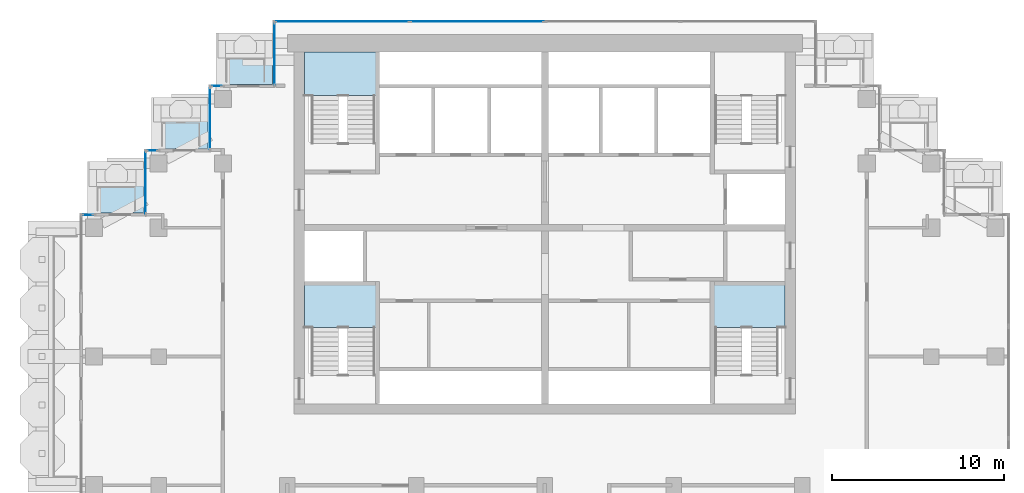
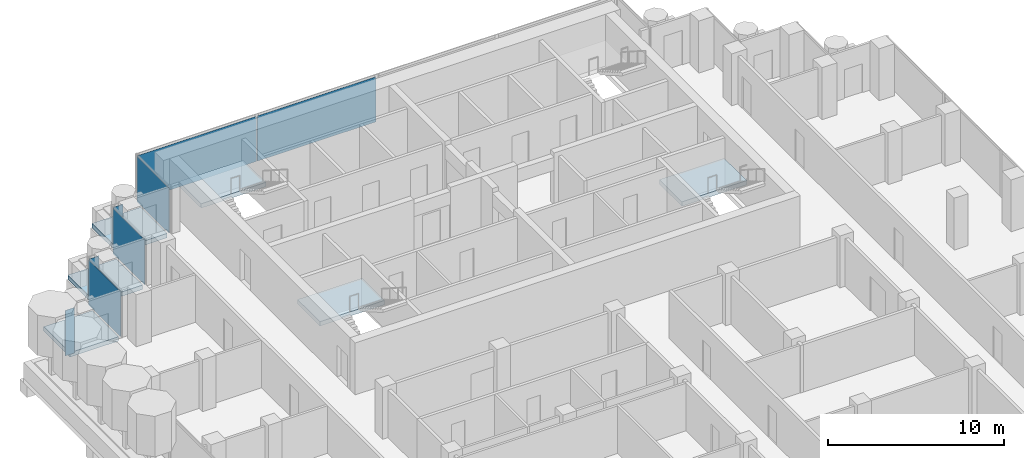
# One storey, part 9 of 18: 8 plates, 6 slabs, 10 elements without a shape of their own.
"""IFC4 building model written with IfcOpenShell, lengths in metres."""

from ifc_helpers import new_model, si_unit, direction, frame, origin, origin_2d, place, context, subcontext, project, spatial, polyline, rectangle, outline, extrude, material, layer, layer_set, type_object, element, aggregate, save


model = new_model("IFC4")

# Units and contexts
model_context = context("Model", 3, precision=1e-05, world=origin(), true_north=direction((0.0, 1.0)))
body_context = subcontext(model_context, "Body", "Model", "MODEL_VIEW")
ifc_project = project(units=[si_unit("LENGTHUNIT", "METRE"), si_unit("AREAUNIT", "SQUARE_METRE"), si_unit("VOLUMEUNIT", "CUBIC_METRE"), si_unit("PLANEANGLEUNIT", "RADIAN"), si_unit("MASSUNIT", "GRAM", prefix="KILO")], contexts=[model_context])

# Site, building, storey
site_placement = place(None, origin())
site = spatial("IfcSite", under=ifc_project, at=site_placement, CompositionType="ELEMENT")
building_placement = place(site_placement, origin())
building = spatial("IfcBuilding", under=site, at=building_placement, Name="Pilkhan Gate Tower", CompositionType="ELEMENT")
storey_placement = place(building_placement, frame((0.0, 0.0, 199.5)))
storey = spatial("IfcBuildingStorey", under=building, at=storey_placement, Name="L51", CompositionType="ELEMENT", Elevation=199.5)

# Slabs
ifc_material_1 = material(Name="Concrete C60/75", Category="concrete")
ifc_layer_1 = layer(ifc_material_1, 0.300048828125)
ifc_layer_set_1 = layer_set([ifc_layer_1], Name="Balcony tray slab TR300")
slab_type_1 = type_object("IfcSlabType", Name="Balcony tray slab TR300", PredefinedType="FLOOR", material=ifc_layer_set_1)
slab_1_placement = place(storey_placement, frame((0.0, 0.0, -0.300048828125)))
element("IfcSlab", 1, at=slab_1_placement, inside=storey, type_object=slab_type_1, Name="Balcony tray L51 N", PredefinedType="FLOOR", context=body_context, shape_type="SweptSolid", body=[
    extrude(outline(polyline([(59.14990234375, 90.85009765625), (59.14990234375, 93.85009765625), (55.949951171875, 93.85009765625), (55.949951171875, 90.85009765625), (59.14990234375, 90.85009765625)])), origin(), (0.0, 0.0, 1.0), 0.300048828125),
])
slab_2_placement = place(storey_placement, frame((0.0, 0.0, -0.300048828125)))
element("IfcSlab", 2, at=slab_2_placement, inside=storey, type_object=slab_type_1, Name="Balcony tray L51 N", PredefinedType="FLOOR", context=body_context, shape_type="SweptSolid", body=[
    extrude(outline(polyline([(55.3798828125, 87.1201171875), (55.3798828125, 90.10009765625), (52.199951171875, 90.10009765625), (52.199951171875, 87.1201171875), (55.3798828125, 87.1201171875)])), origin(), (0.0, 0.0, 1.0), 0.300048828125),
])
slab_3_placement = place(storey_placement, frame((0.0, 0.0, -0.300048828125)))
element("IfcSlab", 3, at=slab_3_placement, inside=storey, type_object=slab_type_1, Name="Balcony tray L51 N", PredefinedType="FLOOR", context=body_context, shape_type="SweptSolid", body=[
    extrude(outline(polyline([(51.6298828125, 83.3701171875), (51.6298828125, 86.35009765625), (48.449951171875, 86.35009765625), (48.449951171875, 83.3701171875), (51.6298828125, 83.3701171875)])), origin(), (0.0, 0.0, 1.0), 0.300048828125),
])

# Curtain wall, plates
ifc_material_2 = material(Name="Pale anodised aluminium, clear low-iron double glazing", Category="aluminium")
curtain_wall_type = type_object("IfcCurtainWallType", Name="Office unitised curtain wall CW-O2", PredefinedType="USERDEFINED", material=ifc_material_2)
curtain_wall_1_placement = place(storey_placement, origin())
curtain_wall_1 = element("IfcCurtainWall", 4, at=curtain_wall_1_placement, inside=storey, type_object=curtain_wall_type, Name="Office unitised curtain wall CW-O2 L51 N", ObjectType="UNITISED CURTAIN WALL", PredefinedType="USERDEFINED")
ifc_material_3 = material(Name="Clear low-iron double glazing", Category="glass")
ifc_layer_2 = layer(ifc_material_3, 0.031982421875)
ifc_layer_set_2 = layer_set([ifc_layer_2], Name="Glass panel CW-O2 32")
plate_type = type_object("IfcPlateType", Name="Glass panel CW-O2 32", PredefinedType="CURTAIN_PANEL", material=ifc_layer_set_2)
plate_1_placement = place(storey_placement, frame((63.203857421875, 94.5, 0.0), z_axis=(0.0, 0.0, 1.0), x_axis=(1.0, 0.0, 0.0)))
plate_1 = element("IfcPlate", 5, at=plate_1_placement, type_object=plate_type, Name="CW-O2 panel 1", PredefinedType="CURTAIN_PANEL", context=body_context, shape_type="SweptSolid", body=[
    extrude(rectangle(XDim=7.777587890625, YDim=0.031982421875, at=origin_2d()), origin(), (0.0, 0.0, 1.0), 3.135009765625),
])
plate_2_placement = place(storey_placement, frame((71.046142578125, 94.5, 0.0), z_axis=(0.0, 0.0, 1.0), x_axis=(1.0, 0.0, 0.0)))
plate_2 = element("IfcPlate", 6, at=plate_2_placement, type_object=plate_type, Name="CW-O2 panel 2", PredefinedType="CURTAIN_PANEL", context=body_context, shape_type="SweptSolid", body=[
    extrude(rectangle(XDim=7.777587890625, YDim=0.031982421875, at=origin_2d()), origin(), (0.0, 0.0, 1.0), 3.135009765625),
])
aggregate(curtain_wall_1, [plate_1, plate_2])

# Curtain wall, plate
curtain_wall_2_placement = place(storey_placement, origin())
curtain_wall_2 = element("IfcCurtainWall", 7, at=curtain_wall_2_placement, inside=storey, type_object=curtain_wall_type, Name="Office unitised curtain wall CW-O2 L51 W", ObjectType="UNITISED CURTAIN WALL", PredefinedType="USERDEFINED")
plate_3_placement = place(storey_placement, frame((59.25, 92.625, 0.0), z_axis=(0.0, 0.0, 1.0), x_axis=(0.0, 1.0, 0.0)))
plate_3 = element("IfcPlate", 8, at=plate_3_placement, type_object=plate_type, Name="CW-O2 panel 1", PredefinedType="CURTAIN_PANEL", context=body_context, shape_type="SweptSolid", body=[
    extrude(rectangle(XDim=3.6201171875, YDim=0.031982421875, at=origin_2d()), origin(), (0.0, 0.0, 1.0), 3.135009765625),
])
aggregate(curtain_wall_2, [plate_3])

curtain_wall_3_placement = place(storey_placement, origin())
curtain_wall_3 = element("IfcCurtainWall", 9, at=curtain_wall_3_placement, inside=storey, type_object=curtain_wall_type, Name="Office unitised curtain wall CW-O2 L51 N", ObjectType="UNITISED CURTAIN WALL", PredefinedType="USERDEFINED")
plate_4_placement = place(storey_placement, frame((55.875, 90.75, 0.0), z_axis=(0.0, 0.0, 1.0), x_axis=(1.0, 0.0, 0.0)))
plate_4 = element("IfcPlate", 10, at=plate_4_placement, type_object=plate_type, Name="CW-O2 panel 1", PredefinedType="CURTAIN_PANEL", context=body_context, shape_type="SweptSolid", body=[
    extrude(rectangle(XDim=0.6201171875, YDim=0.031982421875, at=origin_2d()), origin(), (0.0, 0.0, 1.0), 3.135009765625),
])
aggregate(curtain_wall_3, [plate_4])

curtain_wall_4_placement = place(storey_placement, origin())
curtain_wall_4 = element("IfcCurtainWall", 11, at=curtain_wall_4_placement, inside=storey, type_object=curtain_wall_type, Name="Office unitised curtain wall CW-O2 L51 W", ObjectType="UNITISED CURTAIN WALL", PredefinedType="USERDEFINED")
plate_5_placement = place(storey_placement, frame((55.5, 88.875, 0.0), z_axis=(0.0, 0.0, 1.0), x_axis=(0.0, 1.0, 0.0)))
plate_5 = element("IfcPlate", 12, at=plate_5_placement, type_object=plate_type, Name="CW-O2 panel 1", PredefinedType="CURTAIN_PANEL", context=body_context, shape_type="SweptSolid", body=[
    extrude(rectangle(XDim=3.6201171875, YDim=0.031982421875, at=origin_2d()), origin(), (0.0, 0.0, 1.0), 3.135009765625),
])
aggregate(curtain_wall_4, [plate_5])

curtain_wall_5_placement = place(storey_placement, origin())
curtain_wall_5 = element("IfcCurtainWall", 13, at=curtain_wall_5_placement, inside=storey, type_object=curtain_wall_type, Name="Office unitised curtain wall CW-O2 L51 N", ObjectType="UNITISED CURTAIN WALL", PredefinedType="USERDEFINED")
plate_6_placement = place(storey_placement, frame((52.125, 87.0, 0.0), z_axis=(0.0, 0.0, 1.0), x_axis=(1.0, 0.0, 0.0)))
plate_6 = element("IfcPlate", 14, at=plate_6_placement, type_object=plate_type, Name="CW-O2 panel 1", PredefinedType="CURTAIN_PANEL", context=body_context, shape_type="SweptSolid", body=[
    extrude(rectangle(XDim=0.6201171875, YDim=0.031982421875, at=origin_2d()), origin(), (0.0, 0.0, 1.0), 3.135009765625),
])
aggregate(curtain_wall_5, [plate_6])

curtain_wall_6_placement = place(storey_placement, origin())
curtain_wall_6 = element("IfcCurtainWall", 15, at=curtain_wall_6_placement, inside=storey, type_object=curtain_wall_type, Name="Office unitised curtain wall CW-O2 L51 W", ObjectType="UNITISED CURTAIN WALL", PredefinedType="USERDEFINED")
plate_7_placement = place(storey_placement, frame((51.75, 85.125, 0.0), z_axis=(0.0, 0.0, 1.0), x_axis=(0.0, 1.0, 0.0)))
plate_7 = element("IfcPlate", 16, at=plate_7_placement, type_object=plate_type, Name="CW-O2 panel 1", PredefinedType="CURTAIN_PANEL", context=body_context, shape_type="SweptSolid", body=[
    extrude(rectangle(XDim=3.6201171875, YDim=0.031982421875, at=origin_2d()), origin(), (0.0, 0.0, 1.0), 3.135009765625),
])
aggregate(curtain_wall_6, [plate_7])

curtain_wall_7_placement = place(storey_placement, origin())
curtain_wall_7 = element("IfcCurtainWall", 17, at=curtain_wall_7_placement, inside=storey, type_object=curtain_wall_type, Name="Office unitised curtain wall CW-O2 L51 N", ObjectType="UNITISED CURTAIN WALL", PredefinedType="USERDEFINED")
plate_8_placement = place(storey_placement, frame((48.375, 83.25, 0.0), z_axis=(0.0, 0.0, 1.0), x_axis=(1.0, 0.0, 0.0)))
plate_8 = element("IfcPlate", 18, at=plate_8_placement, type_object=plate_type, Name="CW-O2 panel 1", PredefinedType="CURTAIN_PANEL", context=body_context, shape_type="SweptSolid", body=[
    extrude(rectangle(XDim=0.6201171875, YDim=0.031982421875, at=origin_2d()), origin(), (0.0, 0.0, 1.0), 3.135009765625),
])
aggregate(curtain_wall_7, [plate_8])

# Stair, slab
ifc_material_4 = material(Name="Concrete C40/50 precast", Category="concrete")
stair_type_1 = type_object("IfcStairType", Name="Stair ST1 164x280", PredefinedType="HALF_TURN_STAIR", material=ifc_material_4)
stair_1_placement = place(storey_placement, origin())
stair_1 = element("IfcStair", 19, at=stair_1_placement, inside=storey, type_object=stair_type_1, Name="Stair ST1 L51", PredefinedType="HALF_TURN_STAIR")
ifc_material_5 = material(Name="Concrete C40/50", Category="concrete")
ifc_layer_3 = layer(ifc_material_5, 0.199951171875)
ifc_layer_set_3 = layer_set([ifc_layer_3], Name="Stair landing SL200")
slab_type_2 = type_object("IfcSlabType", Name="Stair landing SL200", PredefinedType="LANDING", material=ifc_layer_set_3)
slab_4_placement = place(storey_placement, frame((0.0, 0.0, 1.5)))
slab_4 = element("IfcSlab", 20, at=slab_4_placement, type_object=slab_type_2, Name="ST1 landing 1", PredefinedType="LANDING", context=body_context, shape_type="SweptSolid", body=[
    extrude(outline(polyline([(89.0, 76.699951171875), (89.0, 79.25), (84.75, 79.25), (84.75, 76.699951171875), (89.0, 76.699951171875)])), origin(), (0.0, 0.0, 1.0), 0.300048828125),
])
aggregate(stair_1, [slab_4])

stair_type_2 = type_object("IfcStairType", Name="Stair ST2 164x280", PredefinedType="HALF_TURN_STAIR", material=ifc_material_4)
stair_2_placement = place(storey_placement, origin())
stair_2 = element("IfcStair", 21, at=stair_2_placement, inside=storey, type_object=stair_type_2, Name="Stair ST2 L51", PredefinedType="HALF_TURN_STAIR")
slab_5_placement = place(storey_placement, frame((0.0, 0.0, 1.5)))
slab_5 = element("IfcSlab", 22, at=slab_5_placement, type_object=slab_type_2, Name="ST2 landing 1", PredefinedType="LANDING", context=body_context, shape_type="SweptSolid", body=[
    extrude(outline(polyline([(65.25, 76.699951171875), (65.25, 79.25), (61.0, 79.25), (61.0, 76.699951171875), (65.25, 76.699951171875)])), origin(), (0.0, 0.0, 1.0), 0.300048828125),
])
aggregate(stair_2, [slab_5])

stair_type_3 = type_object("IfcStairType", Name="Stair ST3 164x280", PredefinedType="HALF_TURN_STAIR", material=ifc_material_4)
stair_3_placement = place(storey_placement, origin())
stair_3 = element("IfcStair", 23, at=stair_3_placement, inside=storey, type_object=stair_type_3, Name="Stair ST3 L51", PredefinedType="HALF_TURN_STAIR")
slab_6_placement = place(storey_placement, frame((0.0, 0.0, 1.5)))
slab_6 = element("IfcSlab", 24, at=slab_6_placement, type_object=slab_type_2, Name="ST3 landing 1", PredefinedType="LANDING", context=body_context, shape_type="SweptSolid", body=[
    extrude(outline(polyline([(65.25, 90.199951171875), (65.25, 92.75), (61.0, 92.75), (61.0, 90.199951171875), (65.25, 90.199951171875)])), origin(), (0.0, 0.0, 1.0), 0.300048828125),
])
aggregate(stair_3, [slab_6])

save(model, "model.ifc")
